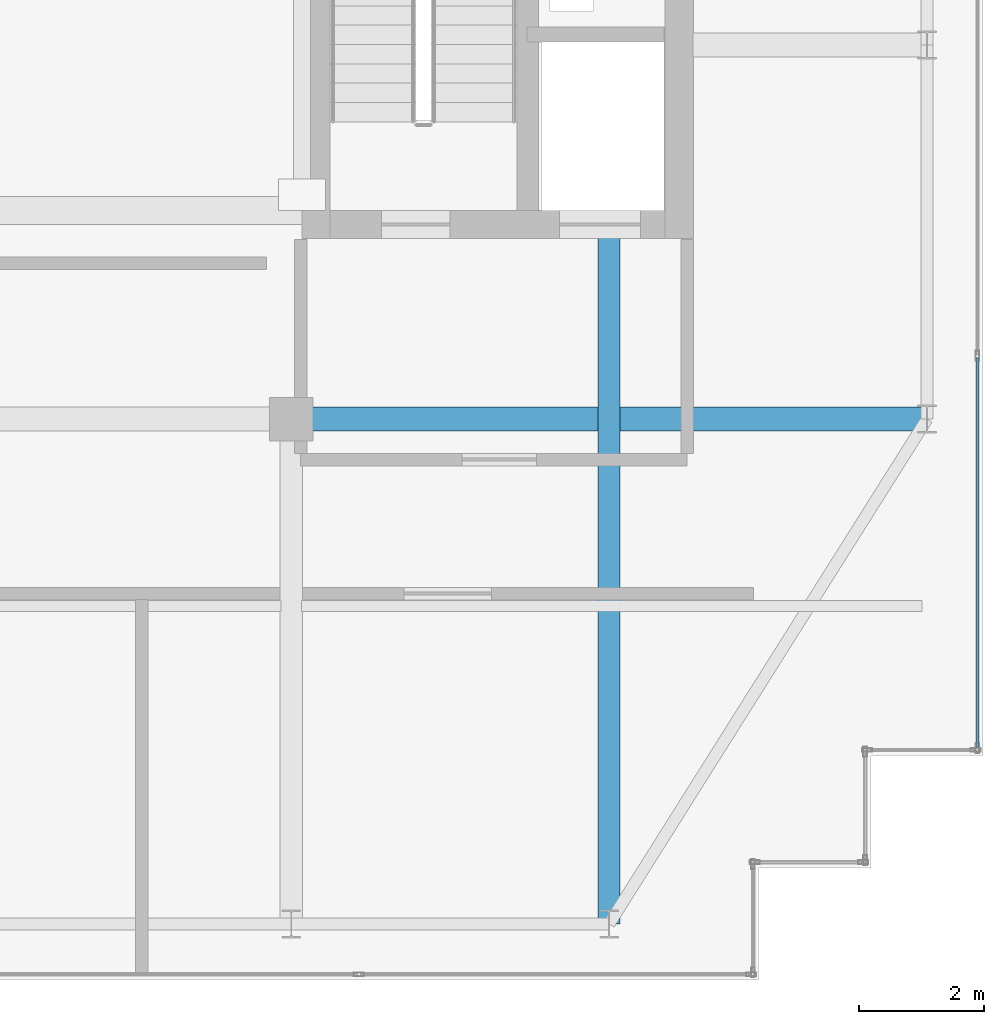
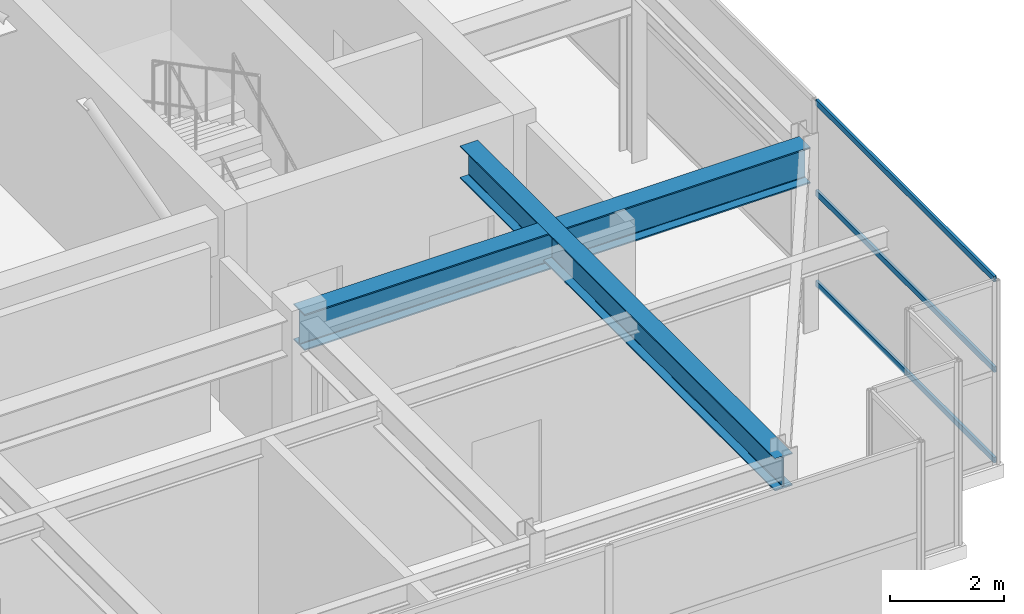
# One storey, part 16 of 32: 3 members, 2 beams, 1 element without a shape of its own.
"""IFC4 building model written with IfcOpenShell, lengths in metres."""

from ifc_helpers import new_model, si_unit, direction, frame, origin, origin_2d, place, context, subcontext, project, spatial, hollow_rectangle, i_section, extrude, source, transform, mapped, material, layer, layer_set, material_profile, profile_set, type_object, element, aggregate, save


model = new_model("IFC4")

# Units and contexts
model_context = context("Model", 3, precision=1e-05, world=origin(), true_north=direction((0.0, 1.0)))
body_context = subcontext(model_context, "Body", "Model", "MODEL_VIEW")
ifc_project = project(units=[si_unit("LENGTHUNIT", "METRE"), si_unit("AREAUNIT", "SQUARE_METRE"), si_unit("VOLUMEUNIT", "CUBIC_METRE"), si_unit("PLANEANGLEUNIT", "RADIAN"), si_unit("MASSUNIT", "GRAM", prefix="KILO")], contexts=[model_context])

# Site, building, storey
site_placement = place(None, origin())
site = spatial("IfcSite", under=ifc_project, at=site_placement, CompositionType="ELEMENT")
building_placement = place(site_placement, origin())
building = spatial("IfcBuilding", under=site, at=building_placement, Name="Khoralis Quay Care Tower", CompositionType="ELEMENT")
storey_placement = place(building_placement, frame((0.0, 0.0, 306.300048828125)))
storey = spatial("IfcBuildingStorey", under=building, at=storey_placement, Name="L80", CompositionType="ELEMENT", Elevation=306.300048828125)

# Beams
ifc_material_1 = material(Name="Steel S355", Category="steel")
ifc_material_profile_1 = material_profile(ifc_material_1, i_section(OverallWidth=0.381103515625, OverallDepth=0.77294921875, WebThickness=0.0166015625, FlangeThickness=0.027587890625, FilletRadius=0.02197265625, at=origin_2d()), Name="Steel S355")
ifc_profile_set_1 = profile_set([ifc_material_profile_1], Name="Steel S355")
beam_type_1 = type_object("IfcBeamType", Name="BM-W760X257", PredefinedType="BEAM", material=ifc_profile_set_1)
shared_shape_1 = source(origin(), body_context, "Body", "SweptSolid", [
    extrude(i_section(OverallWidth=0.381103515625, OverallDepth=0.77294921875, WebThickness=0.0166015625, FlangeThickness=0.027587890625, FilletRadius=0.02197265625, at=origin_2d()), origin(), (0.0, 0.0, 1.0), 10.2001953125),
])
beam_1_placement = place(storey_placement, frame((30.89990234375, 12.0, 3.533447265625), z_axis=(1.0, 0.0, 0.0), x_axis=(0.0, 1.0, 0.0)))
element("IfcBeam", 1, at=beam_1_placement, inside=storey, type_object=beam_type_1, Name="BM-TGXE-L80-120", PredefinedType="BEAM", context=body_context, shape_type="MappedRepresentation", body=[
    mapped(shared_shape_1, transform((0.0, 0.0, 0.0), scale=1.0)),
])
ifc_material_profile_2 = material_profile(ifc_material_1, i_section(OverallWidth=0.35498046875, OverallDepth=0.695068359375, WebThickness=0.015380859375, FlangeThickness=0.02490234375, FilletRadius=0.02001953125, at=origin_2d()), Name="Steel S355")
ifc_profile_set_2 = profile_set([ifc_material_profile_2], Name="Steel S355")
beam_type_2 = type_object("IfcBeamType", Name="BM-W690X217", PredefinedType="BEAM", material=ifc_profile_set_2)
shared_shape_2 = source(origin(), body_context, "Body", "SweptSolid", [
    extrude(i_section(OverallWidth=0.35498046875, OverallDepth=0.695068359375, WebThickness=0.015380859375, FlangeThickness=0.02490234375, FilletRadius=0.02001953125, at=origin_2d()), origin(), (0.0, 0.0, 1.0), 11.002197265625),
])
beam_2_placement = place(storey_placement, frame((36.0, 3.89990234375, 3.572509765625), z_axis=(0.0, 1.0, 0.0), x_axis=(-1.0, 0.0, 0.0)))
element("IfcBeam", 2, at=beam_2_placement, inside=storey, type_object=beam_type_2, Name="BM-TGYS-L80-360", PredefinedType="BEAM", context=body_context, shape_type="MappedRepresentation", body=[
    mapped(shared_shape_2, transform((0.0, 0.0, 0.0), scale=1.0)),
])

# Curtain wall, members
ifc_material_2 = material(Name="Pale anodised aluminium", Category="aluminium")
ifc_layer = layer(ifc_material_2, 0.199951171875)
ifc_layer_set = layer_set([ifc_layer], Name="Pale anodised aluminium")
curtain_wall_type = type_object("IfcCurtainWallType", Name="CW-SYS-LANTERN", PredefinedType="NOTDEFINED", material=ifc_layer_set)
curtain_wall_placement = place(storey_placement, origin())
curtain_wall = element("IfcCurtainWall", 3, at=curtain_wall_placement, inside=storey, type_object=curtain_wall_type, Name="L80 Unitised Curtain Wall CW-LN-L80-06", PredefinedType="NOTDEFINED")
ifc_material_profile_3 = material_profile(ifc_material_2, hollow_rectangle(XDim=0.054931640625, YDim=0.1201171875, WallThickness=0.00390625, at=origin_2d()), Name="Pale anodised aluminium")
ifc_profile_set_3 = profile_set([ifc_material_profile_3], Name="Pale anodised aluminium")
member_type = type_object("IfcMemberType", Name="CW-TRN-120", PredefinedType="USERDEFINED", material=ifc_profile_set_3)
shared_shape_3 = source(origin(), body_context, "Body", "SweptSolid", [
    extrude(hollow_rectangle(XDim=0.054931640625, YDim=0.1201171875, WallThickness=0.00390625, at=origin_2d()), origin(), (0.0, 0.0, 1.0), 6.23388671875),
])
member_1_placement = place(storey_placement, frame((41.909912109375, 6.75, 0.030029296875), z_axis=(0.0, 1.0, 0.0), x_axis=(-1.0, 0.0, 0.0)))
member_1 = element("IfcMember", 4, at=member_1_placement, type_object=member_type, Name="CW5 transom 1.1", ObjectType="TRANSOM", PredefinedType="USERDEFINED", context=body_context, shape_type="MappedRepresentation", body=[
    mapped(shared_shape_3, transform((0.0, 0.0, 0.0), scale=1.0)),
])
member_2_placement = place(storey_placement, frame((41.909912109375, 6.75, 1.9599609375), z_axis=(0.0, 1.0, 0.0), x_axis=(-1.0, 0.0, 0.0)))
member_2 = element("IfcMember", 5, at=member_2_placement, type_object=member_type, Name="CW5 transom 1.2", ObjectType="TRANSOM", PredefinedType="USERDEFINED", context=body_context, shape_type="MappedRepresentation", body=[
    mapped(shared_shape_3, transform((0.0, 0.0, 0.0), scale=1.0)),
])
member_3_placement = place(storey_placement, frame((41.909912109375, 6.75, 3.889892578125), z_axis=(0.0, 1.0, 0.0), x_axis=(-1.0, 0.0, 0.0)))
member_3 = element("IfcMember", 6, at=member_3_placement, type_object=member_type, Name="CW5 transom 1.3", ObjectType="TRANSOM", PredefinedType="USERDEFINED", context=body_context, shape_type="MappedRepresentation", body=[
    mapped(shared_shape_3, transform((0.0, 0.0, 0.0), scale=1.0)),
])
aggregate(curtain_wall, [member_1, member_2, member_3])

save(model, "model.ifc")
